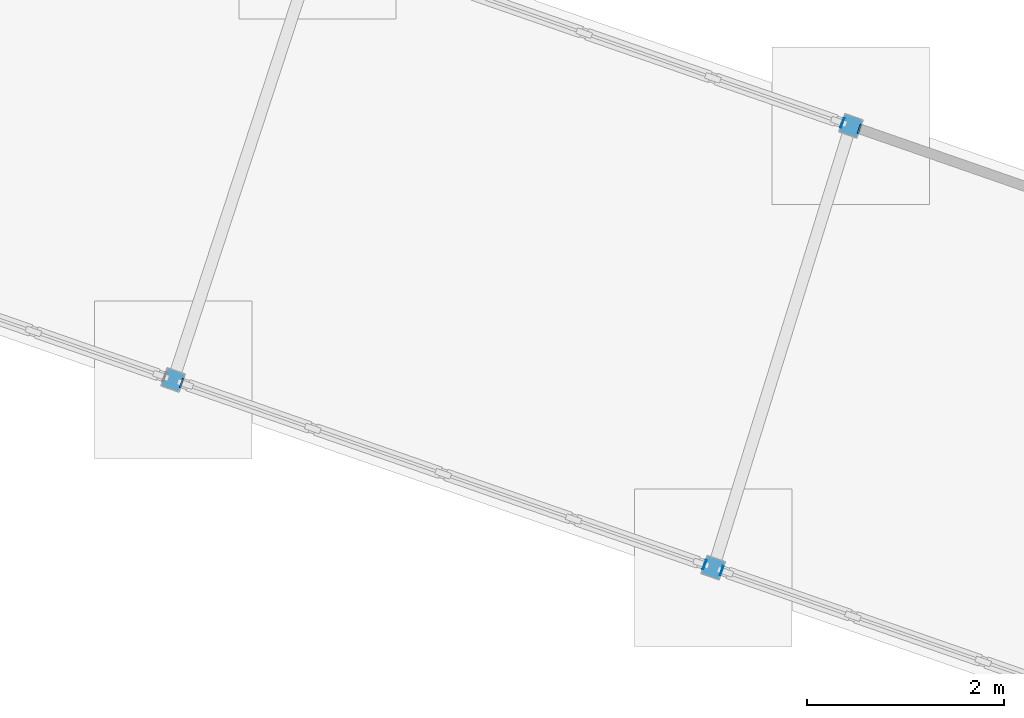
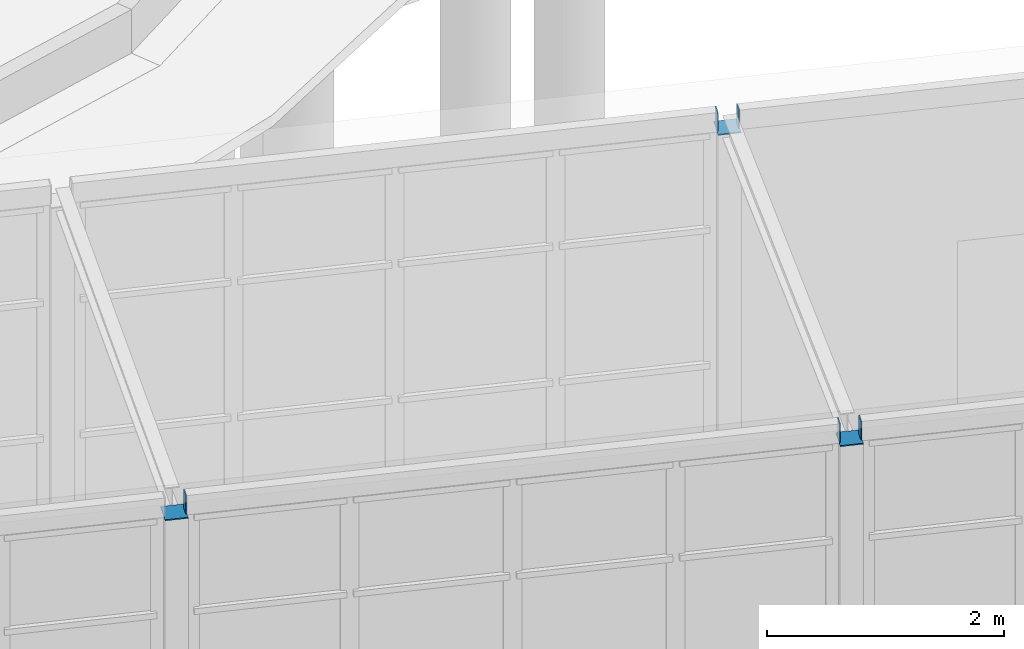
# One storey, part 190 of 226: 8 discrete accessories.
"""IFC4 building model written with IfcOpenShell, lengths in metres."""

import ifcopenshell
import ifcopenshell.guid

model = None  # the IFC model being written
_history = None  # IfcOwnerHistory: only IFC2X3 demands one
_inside = {}  # id of a spatial element -> (the spatial element, [elements in it])
_under = {}  # id of a project, library or spatial element -> (it, [spatial elements below it])
_declared = {}  # id of a project -> (the project, [libraries it declares])
_typed = {}  # id of a type object -> (the type object, [elements of that type])
_made_of = {}  # id of a material, layer set ... -> (it, [elements and type objects made of it])


def new_model(schema):
    """Start an empty IFC model of exactly this schema.

    Asked for "IFC4X3", IfcOpenShell would pick the latest addendum, in which some entities
    have other attributes; the version numbers below select the first issue.
    IFC2X3 requires an IfcOwnerHistory on every rooted entity: one is made here for all.
    """
    global model, _history
    if schema == "IFC4X3":
        model = ifcopenshell.file(schema_version=(4, 3, 0, 0))
    else:
        model = ifcopenshell.file(schema=schema)
    _inside.clear()
    _under.clear()
    _declared.clear()
    _typed.clear()
    _made_of.clear()
    _history = None
    if model.schema == "IFC2X3":
        org = make("IfcOrganization", Name="unknown")
        user = make(
            "IfcPersonAndOrganization",
            ThePerson=make("IfcPerson", FamilyName="unknown"),
            TheOrganization=org,
        )
        app = make(
            "IfcApplication",
            ApplicationDeveloper=org,
            Version="unknown",
            ApplicationFullName="unknown",
            ApplicationIdentifier="unknown",
        )
        _history = make(
            "IfcOwnerHistory",
            OwningUser=user,
            OwningApplication=app,
            ChangeAction="ADDED",
            CreationDate=0,
        )
    return model


def make(cls, **values):
    """One entity of the class cls with the attributes given. An attribute that is None is left unset."""
    return model.create_entity(
        cls, **{name: value for name, value in values.items() if value is not None}
    )


def rooted(cls, **values):
    """An entity with a GlobalId (a new one), such as an element, a storey or a relation."""
    return make(cls, GlobalId=ifcopenshell.guid.new(), OwnerHistory=_history, **values)


def si_unit(unit_type, name, prefix=None):
    """IfcSIUnit, for example si_unit("LENGTHUNIT", "METRE", prefix="MILLI")."""
    return make("IfcSIUnit", UnitType=unit_type, Prefix=prefix, Name=name)


def assignment(units):
    """IfcUnitAssignment: the units of a project."""
    return None if units is None else make("IfcUnitAssignment", Units=units)


def point(xyz):
    """IfcCartesianPoint."""
    return None if xyz is None else make("IfcCartesianPoint", Coordinates=xyz)


def direction(xyz):
    """IfcDirection."""
    return None if xyz is None else make("IfcDirection", DirectionRatios=xyz)


def frame(location, z_axis=None, x_axis=None):
    """IfcAxis2Placement3D, a coordinate frame: its origin and axes. An axis left out is left unset."""
    return make(
        "IfcAxis2Placement3D",
        Location=point(location),
        Axis=direction(z_axis),
        RefDirection=direction(x_axis),
    )


def frame_2d(location, x_axis=None):
    """IfcAxis2Placement2D, a coordinate frame in the plane: its origin and x axis."""
    return make(
        "IfcAxis2Placement2D", Location=point(location), RefDirection=direction(x_axis)
    )


def origin():
    """The frame at (0, 0, 0) with its axes left unset."""
    return frame((0.0, 0.0, 0.0))


def origin_2d():
    """The frame at (0, 0) in the plane with its x axis left unset."""
    return frame_2d((0.0, 0.0))


def place(relative_to, where):
    """IfcLocalPlacement: puts the frame where relative to a parent placement (None: the world)."""
    return make(
        "IfcLocalPlacement", PlacementRelTo=relative_to, RelativePlacement=where
    )


def context(
    kind, dimensions, precision=None, world=None, true_north=None, identifier=None
):
    """IfcGeometricRepresentationContext, for example the 3D "Model" context."""
    return make(
        "IfcGeometricRepresentationContext",
        ContextIdentifier=identifier,
        ContextType=kind,
        CoordinateSpaceDimension=dimensions,
        Precision=precision,
        WorldCoordinateSystem=world,
        TrueNorth=true_north,
    )


def subcontext(parent, identifier, kind, view, scale=None):
    """IfcGeometricRepresentationSubContext, for example "Body" below "Model"."""
    return make(
        "IfcGeometricRepresentationSubContext",
        ContextIdentifier=identifier,
        ContextType=kind,
        ParentContext=parent,
        TargetScale=scale,
        TargetView=view,
    )


def project(units=None, contexts=None):
    """IfcProject with its units and contexts."""
    return rooted(
        "IfcProject",
        Name="project",
        RepresentationContexts=contexts,
        UnitsInContext=assignment(units),
    )


def spatial(cls, under=None, at=None, **own):
    """A site, building, storey or space (cls), placed at a placement, below another one or the project."""
    s = rooted(cls, ObjectPlacement=at, **own)
    if under is not None:
        _under.setdefault(under.id(), (under, []))[1].append(s)
    return s


def profile(cls, at=None, kind="AREA", **sizes):
    """A parametric profile (cls). Its sizes go by their IFC names, for example OverallWidth=200.0."""
    return make(cls, ProfileType=kind, Position=at, **sizes)


def rectangle(**sizes):
    """IfcRectangleProfileDef."""
    return profile("IfcRectangleProfileDef", **sizes)


def extrude(swept, where, along, depth):
    """IfcExtrudedAreaSolid: the profile swept, set in the frame where, extruded along a direction by depth."""
    return make(
        "IfcExtrudedAreaSolid",
        SweptArea=swept,
        Position=where,
        ExtrudedDirection=direction(along),
        Depth=depth,
    )


def shape(context_of_items, identifier, shape_type, items):
    """IfcShapeRepresentation: the items that make up one representation, for example the "Body"."""
    return make(
        "IfcShapeRepresentation",
        ContextOfItems=context_of_items,
        RepresentationIdentifier=identifier,
        RepresentationType=shape_type,
        Items=items,
    )


def material(Name=None, Category=None):
    """IfcMaterial."""
    return make("IfcMaterial", Name=Name, Category=Category)


def material_profile(
    of_material, cross_section, Name=None, Category=None, Priority=None
):
    """IfcMaterialProfile: a cross section and its material."""
    return make(
        "IfcMaterialProfile",
        Name=Name,
        Material=of_material,
        Profile=cross_section,
        Priority=Priority,
        Category=Category,
    )


def profile_set(profiles, Name=None, composite=None):
    """IfcMaterialProfileSet."""
    return make(
        "IfcMaterialProfileSet",
        Name=Name,
        MaterialProfiles=profiles,
        CompositeProfile=composite,
    )


def made_of(thing, what):
    """Note that an element or type object is made of a material, layer set ...; save() writes the relation."""
    if what is not None:
        _made_of.setdefault(what.id(), (what, []))[1].append(thing)
    return thing


def type_object(cls, material=None, **own):
    """A type object (cls), such as IfcWallType, which elements share."""
    return made_of(rooted(cls, **own), material)


def element(
    cls,
    number,
    at=None,
    inside=None,
    cuts=None,
    type_object=None,
    material=None,
    context=None,
    identifier="Body",
    shape_type=None,
    held_by="IfcProductDefinitionShape",
    body=None,
    shapes=None,
    **own,
):
    """One element of the class cls, such as IfcWall. Its Tag is "e" and its number.

    at: its placement. inside: the storey or other place that contains it. cuts: it is an
    opening in that element (IfcRelVoidsElement). A single representation is given by context,
    identifier, shape_type and body (its items); several are given by shapes. held_by: the class
    of the entity that holds the representations. save() writes the other relations.
    """
    e = rooted(cls, Tag="e%d" % number, ObjectPlacement=at, **own)
    if body is not None:
        shapes = [shape(context, identifier, shape_type, body)]
    if shapes is not None:
        e.Representation = make(held_by, Representations=shapes)
    if inside is not None:
        _inside.setdefault(inside.id(), (inside, []))[1].append(e)
    if cuts is not None:
        rooted(
            "IfcRelVoidsElement", RelatingBuildingElement=cuts, RelatedOpeningElement=e
        )
    if type_object is not None:
        _typed.setdefault(type_object.id(), (type_object, []))[1].append(e)
    return made_of(e, material)


def aggregate(whole, parts):
    """IfcRelAggregates: a whole, such as a stair, and the parts it consists of."""
    return rooted("IfcRelAggregates", RelatingObject=whole, RelatedObjects=parts)


def save(model, path):
    """Write the relations noted so far, then the file.

    IfcRelAggregates (storeys below a building ...), IfcRelContainedInSpatialStructure (elements
    in a storey), IfcRelDefinesByType, IfcRelAssociatesMaterial and IfcRelDeclares: one each for
    every whole, place, type object, material and project.
    """
    for whole, parts in _under.values():
        aggregate(whole, parts)
    for where, things in _inside.values():
        rooted(
            "IfcRelContainedInSpatialStructure",
            RelatedElements=things,
            RelatingStructure=where,
        )
    for kind, things in _typed.values():
        rooted("IfcRelDefinesByType", RelatedObjects=things, RelatingType=kind)
    for what, things in _made_of.values():
        rooted("IfcRelAssociatesMaterial", RelatedObjects=things, RelatingMaterial=what)
    for by, libraries in _declared.values():
        rooted("IfcRelDeclares", RelatingContext=by, RelatedDefinitions=libraries)
    model.write(path)


model = new_model("IFC4")

# Units and contexts
model_context = context("Model", 3, precision=1e-05, world=origin(), true_north=direction((0.0, 1.0)))
body_context = subcontext(model_context, "Body", "Model", "MODEL_VIEW")
ifc_project = project(units=[si_unit("LENGTHUNIT", "METRE"), si_unit("AREAUNIT", "SQUARE_METRE"), si_unit("VOLUMEUNIT", "CUBIC_METRE"), si_unit("PLANEANGLEUNIT", "RADIAN"), si_unit("MASSUNIT", "GRAM", prefix="KILO")], contexts=[model_context])

# Site, building, storey
site_placement = place(None, origin())
site = spatial("IfcSite", under=ifc_project, at=site_placement, CompositionType="ELEMENT")
building_placement = place(site_placement, origin())
building = spatial("IfcBuilding", under=site, at=building_placement, Name="Ceibo Conservatory and Research Tower", CompositionType="ELEMENT")
storey_placement = place(building_placement, origin())
storey = spatial("IfcBuildingStorey", under=building, at=storey_placement, Name="L00", CompositionType="ELEMENT", Elevation=0.0)

# Discrete accessories
ifc_material = material(Name="Steel S355J2", Category="steel")
ifc_material_profile_1 = material_profile(ifc_material, rectangle(XDim=0.10009765625, YDim=0.199951171875, at=origin_2d()), Name="End plate PL 200x100x8")
ifc_profile_set_1 = profile_set([ifc_material_profile_1], Name="Steel S355J2")
discrete_accessory_type_1 = type_object("IfcDiscreteAccessoryType", Name="End plate PL 200x100x8", PredefinedType="USERDEFINED", material=ifc_profile_set_1)
discrete_accessory_placement = place(storey_placement, frame((104.47216796875, 56.849365234375, 3.89990234375), z_axis=(0.938343116817, -0.345705358827, 0.0), x_axis=(0.345705358827, 0.938343116817, 0.0)))
element("IfcDiscreteAccessory", 1, at=discrete_accessory_placement, inside=storey, type_object=discrete_accessory_type_1, Name="Gallery edge beam AUD-VC-EBN07 end plate", ObjectType="End plate", PredefinedType="USERDEFINED", context=body_context, shape_type="SweptSolid", body=[
    extrude(rectangle(XDim=0.10009765625, YDim=0.199951171875, at=origin_2d()), origin(), (0.0, 0.0, 1.0), 0.009765625),
])
for number, where, z_axis, x_axis, name in (
    (2, (104.645751953125, 56.788818359375, 3.89990234375), (0.948683298051, -0.316227766017, 0.0), (0.316227766017, 0.948683298051, 0.0), "Gallery edge beam AUD-VC-EBN08 end plate"),
    (3, (97.7578125, 54.20703125, 3.89990234375), (0.948683298051, -0.316227766017, 0.0), (0.316227766017, 0.948683298051, 0.0), "Gallery edge beam AUD-VC-EBS07 end plate"),
):
    element("IfcDiscreteAccessory", number, at=place(storey_placement, frame(where, z_axis=z_axis, x_axis=x_axis)), inside=storey, type_object=discrete_accessory_type_1, Name=name, ObjectType="End plate", PredefinedType="USERDEFINED", context=body_context, shape_type="SweptSolid", body=[
        extrude(rectangle(XDim=0.10009765625, YDim=0.199951171875, at=origin_2d()), origin(), (0.0, 0.0, 1.0), 0.010009765625),
    ])
for number, where, z_axis, x_axis, name in (
    (4, (103.072509765625, 52.360107421875, 3.89990234375), (0.938343116817, -0.345705358827, 0.0), (0.345705358827, 0.938343116817, 0.0), "Gallery edge beam AUD-VC-EBS07 end plate"),
    (5, (103.246337890625, 52.299560546875, 3.89990234375), (0.946163984953, -0.323687679063, 0.0), (0.323687679063, 0.946163984953, 0.0), "Gallery edge beam AUD-VC-EBS08 end plate"),
):
    element("IfcDiscreteAccessory", number, at=place(storey_placement, frame(where, z_axis=z_axis, x_axis=x_axis)), inside=storey, type_object=discrete_accessory_type_1, Name=name, ObjectType="End plate", PredefinedType="USERDEFINED", context=body_context, shape_type="SweptSolid", body=[
        extrude(rectangle(XDim=0.10009765625, YDim=0.199951171875, at=origin_2d()), origin(), (0.0, 0.0, 1.0), 0.009765625),
    ])
ifc_material_profile_2 = material_profile(ifc_material, rectangle(XDim=0.199951171875, YDim=0.199951171875, at=origin_2d()), Name="End plate PL 200x200x10")
ifc_profile_set_2 = profile_set([ifc_material_profile_2], Name="Steel S355J2")
discrete_accessory_type_2 = type_object("IfcDiscreteAccessoryType", Name="End plate PL 200x200x10", PredefinedType="USERDEFINED", material=ifc_profile_set_2)
for number, where, z_axis, x_axis, name in (
    (6, (104.563720703125, 56.8173828125, 3.798095703125), (0.0, 0.0, 1.0), (0.944579236191, -0.328283515513, 0.0), "Gallery column AUD-VC-CN07 end plate"),
    (7, (97.67578125, 54.235595703125, 3.798095703125), (0.0, 0.0, 1.0), (0.944579236191, -0.328283515513, 0.0), "Gallery column AUD-VC-CS06 end plate"),
    (8, (103.1640625, 52.328125, 3.798095703125), (0.0, 0.0, 1.0), (0.944579236191, -0.328283515513, 0.0), "Gallery column AUD-VC-CS07 end plate"),
):
    element("IfcDiscreteAccessory", number, at=place(storey_placement, frame(where, z_axis=z_axis, x_axis=x_axis)), inside=storey, type_object=discrete_accessory_type_2, Name=name, ObjectType="End plate", PredefinedType="USERDEFINED", context=body_context, shape_type="SweptSolid", body=[
        extrude(rectangle(XDim=0.199951171875, YDim=0.199951171875, at=origin_2d()), origin(), (0.0, 0.0, 1.0), 0.011962890625),
    ])

save(model, "model.ifc")
